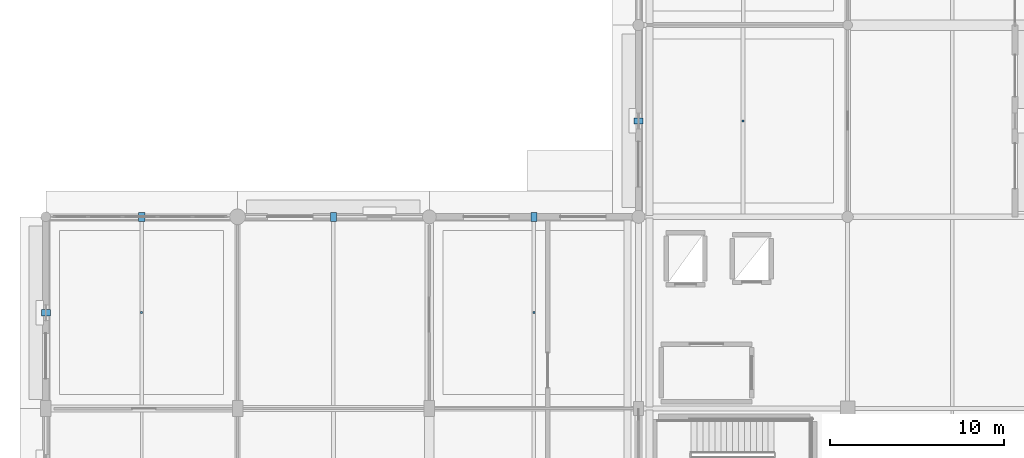
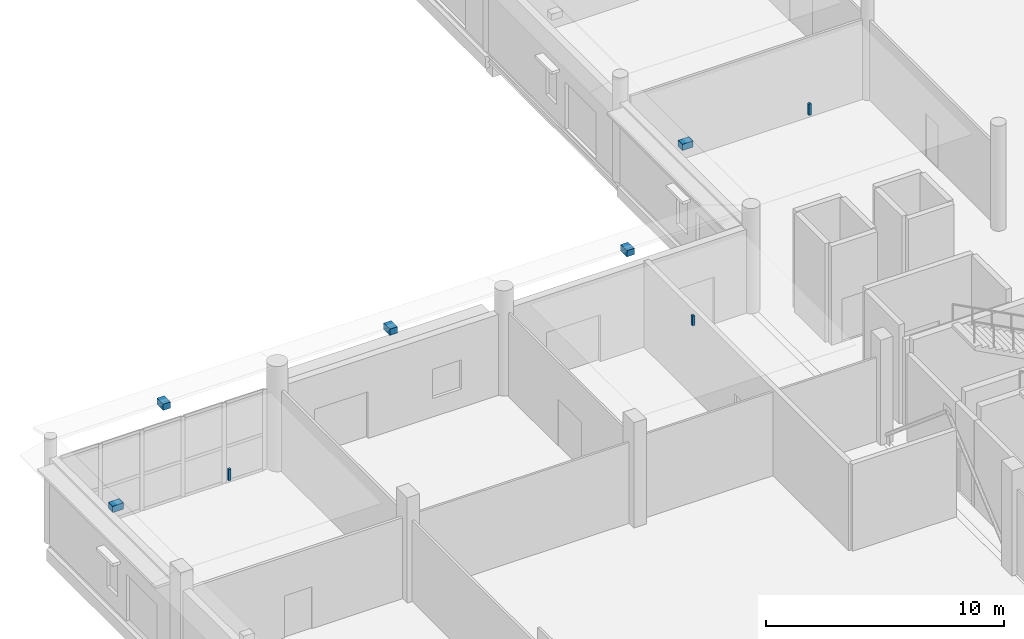
# One storey, part 80 of 120: 8 discrete accessories.
"""IFC4 building model written with IfcOpenShell, lengths in metres."""

import ifcopenshell
import ifcopenshell.guid

model = None  # the IFC model being written
_history = None  # IfcOwnerHistory: only IFC2X3 demands one
_inside = {}  # id of a spatial element -> (the spatial element, [elements in it])
_under = {}  # id of a project, library or spatial element -> (it, [spatial elements below it])
_declared = {}  # id of a project -> (the project, [libraries it declares])
_typed = {}  # id of a type object -> (the type object, [elements of that type])
_made_of = {}  # id of a material, layer set ... -> (it, [elements and type objects made of it])


def new_model(schema):
    """Start an empty IFC model of exactly this schema.

    Asked for "IFC4X3", IfcOpenShell would pick the latest addendum, in which some entities
    have other attributes; the version numbers below select the first issue.
    IFC2X3 requires an IfcOwnerHistory on every rooted entity: one is made here for all.
    """
    global model, _history
    if schema == "IFC4X3":
        model = ifcopenshell.file(schema_version=(4, 3, 0, 0))
    else:
        model = ifcopenshell.file(schema=schema)
    _inside.clear()
    _under.clear()
    _declared.clear()
    _typed.clear()
    _made_of.clear()
    _history = None
    if model.schema == "IFC2X3":
        org = make("IfcOrganization", Name="unknown")
        user = make(
            "IfcPersonAndOrganization",
            ThePerson=make("IfcPerson", FamilyName="unknown"),
            TheOrganization=org,
        )
        app = make(
            "IfcApplication",
            ApplicationDeveloper=org,
            Version="unknown",
            ApplicationFullName="unknown",
            ApplicationIdentifier="unknown",
        )
        _history = make(
            "IfcOwnerHistory",
            OwningUser=user,
            OwningApplication=app,
            ChangeAction="ADDED",
            CreationDate=0,
        )
    return model


def make(cls, **values):
    """One entity of the class cls with the attributes given. An attribute that is None is left unset."""
    return model.create_entity(
        cls, **{name: value for name, value in values.items() if value is not None}
    )


def rooted(cls, **values):
    """An entity with a GlobalId (a new one), such as an element, a storey or a relation."""
    return make(cls, GlobalId=ifcopenshell.guid.new(), OwnerHistory=_history, **values)


def si_unit(unit_type, name, prefix=None):
    """IfcSIUnit, for example si_unit("LENGTHUNIT", "METRE", prefix="MILLI")."""
    return make("IfcSIUnit", UnitType=unit_type, Prefix=prefix, Name=name)


def assignment(units):
    """IfcUnitAssignment: the units of a project."""
    return None if units is None else make("IfcUnitAssignment", Units=units)


def point(xyz):
    """IfcCartesianPoint."""
    return None if xyz is None else make("IfcCartesianPoint", Coordinates=xyz)


def direction(xyz):
    """IfcDirection."""
    return None if xyz is None else make("IfcDirection", DirectionRatios=xyz)


def frame(location, z_axis=None, x_axis=None):
    """IfcAxis2Placement3D, a coordinate frame: its origin and axes. An axis left out is left unset."""
    return make(
        "IfcAxis2Placement3D",
        Location=point(location),
        Axis=direction(z_axis),
        RefDirection=direction(x_axis),
    )


def frame_2d(location, x_axis=None):
    """IfcAxis2Placement2D, a coordinate frame in the plane: its origin and x axis."""
    return make(
        "IfcAxis2Placement2D", Location=point(location), RefDirection=direction(x_axis)
    )


def origin():
    """The frame at (0, 0, 0) with its axes left unset."""
    return frame((0.0, 0.0, 0.0))


def origin_2d():
    """The frame at (0, 0) in the plane with its x axis left unset."""
    return frame_2d((0.0, 0.0))


def place(relative_to, where):
    """IfcLocalPlacement: puts the frame where relative to a parent placement (None: the world)."""
    return make(
        "IfcLocalPlacement", PlacementRelTo=relative_to, RelativePlacement=where
    )


def context(
    kind, dimensions, precision=None, world=None, true_north=None, identifier=None
):
    """IfcGeometricRepresentationContext, for example the 3D "Model" context."""
    return make(
        "IfcGeometricRepresentationContext",
        ContextIdentifier=identifier,
        ContextType=kind,
        CoordinateSpaceDimension=dimensions,
        Precision=precision,
        WorldCoordinateSystem=world,
        TrueNorth=true_north,
    )


def subcontext(parent, identifier, kind, view, scale=None):
    """IfcGeometricRepresentationSubContext, for example "Body" below "Model"."""
    return make(
        "IfcGeometricRepresentationSubContext",
        ContextIdentifier=identifier,
        ContextType=kind,
        ParentContext=parent,
        TargetScale=scale,
        TargetView=view,
    )


def project(units=None, contexts=None):
    """IfcProject with its units and contexts."""
    return rooted(
        "IfcProject",
        Name="project",
        RepresentationContexts=contexts,
        UnitsInContext=assignment(units),
    )


def spatial(cls, under=None, at=None, **own):
    """A site, building, storey or space (cls), placed at a placement, below another one or the project."""
    s = rooted(cls, ObjectPlacement=at, **own)
    if under is not None:
        _under.setdefault(under.id(), (under, []))[1].append(s)
    return s


def profile(cls, at=None, kind="AREA", **sizes):
    """A parametric profile (cls). Its sizes go by their IFC names, for example OverallWidth=200.0."""
    return make(cls, ProfileType=kind, Position=at, **sizes)


def rectangle(**sizes):
    """IfcRectangleProfileDef."""
    return profile("IfcRectangleProfileDef", **sizes)


def extrude(swept, where, along, depth):
    """IfcExtrudedAreaSolid: the profile swept, set in the frame where, extruded along a direction by depth."""
    return make(
        "IfcExtrudedAreaSolid",
        SweptArea=swept,
        Position=where,
        ExtrudedDirection=direction(along),
        Depth=depth,
    )


def shape(context_of_items, identifier, shape_type, items):
    """IfcShapeRepresentation: the items that make up one representation, for example the "Body"."""
    return make(
        "IfcShapeRepresentation",
        ContextOfItems=context_of_items,
        RepresentationIdentifier=identifier,
        RepresentationType=shape_type,
        Items=items,
    )


def material(Name=None, Category=None):
    """IfcMaterial."""
    return make("IfcMaterial", Name=Name, Category=Category)


def layer(
    of_material, thickness, ventilated=None, Name=None, Category=None, Priority=None
):
    """IfcMaterialLayer: one layer of a wall or slab, of a material (None: an air gap)."""
    return make(
        "IfcMaterialLayer",
        Material=of_material,
        LayerThickness=thickness,
        IsVentilated=ventilated,
        Name=Name,
        Category=Category,
        Priority=Priority,
    )


def layer_set(layers, Name=None):
    """IfcMaterialLayerSet."""
    return make("IfcMaterialLayerSet", MaterialLayers=layers, LayerSetName=Name)


def made_of(thing, what):
    """Note that an element or type object is made of a material, layer set ...; save() writes the relation."""
    if what is not None:
        _made_of.setdefault(what.id(), (what, []))[1].append(thing)
    return thing


def type_object(cls, material=None, **own):
    """A type object (cls), such as IfcWallType, which elements share."""
    return made_of(rooted(cls, **own), material)


def element(
    cls,
    number,
    at=None,
    inside=None,
    cuts=None,
    type_object=None,
    material=None,
    context=None,
    identifier="Body",
    shape_type=None,
    held_by="IfcProductDefinitionShape",
    body=None,
    shapes=None,
    **own,
):
    """One element of the class cls, such as IfcWall. Its Tag is "e" and its number.

    at: its placement. inside: the storey or other place that contains it. cuts: it is an
    opening in that element (IfcRelVoidsElement). A single representation is given by context,
    identifier, shape_type and body (its items); several are given by shapes. held_by: the class
    of the entity that holds the representations. save() writes the other relations.
    """
    e = rooted(cls, Tag="e%d" % number, ObjectPlacement=at, **own)
    if body is not None:
        shapes = [shape(context, identifier, shape_type, body)]
    if shapes is not None:
        e.Representation = make(held_by, Representations=shapes)
    if inside is not None:
        _inside.setdefault(inside.id(), (inside, []))[1].append(e)
    if cuts is not None:
        rooted(
            "IfcRelVoidsElement", RelatingBuildingElement=cuts, RelatedOpeningElement=e
        )
    if type_object is not None:
        _typed.setdefault(type_object.id(), (type_object, []))[1].append(e)
    return made_of(e, material)


def aggregate(whole, parts):
    """IfcRelAggregates: a whole, such as a stair, and the parts it consists of."""
    return rooted("IfcRelAggregates", RelatingObject=whole, RelatedObjects=parts)


def save(model, path):
    """Write the relations noted so far, then the file.

    IfcRelAggregates (storeys below a building ...), IfcRelContainedInSpatialStructure (elements
    in a storey), IfcRelDefinesByType, IfcRelAssociatesMaterial and IfcRelDeclares: one each for
    every whole, place, type object, material and project.
    """
    for whole, parts in _under.values():
        aggregate(whole, parts)
    for where, things in _inside.values():
        rooted(
            "IfcRelContainedInSpatialStructure",
            RelatedElements=things,
            RelatingStructure=where,
        )
    for kind, things in _typed.values():
        rooted("IfcRelDefinesByType", RelatedObjects=things, RelatingType=kind)
    for what, things in _made_of.values():
        rooted("IfcRelAssociatesMaterial", RelatedObjects=things, RelatingMaterial=what)
    for by, libraries in _declared.values():
        rooted("IfcRelDeclares", RelatingContext=by, RelatedDefinitions=libraries)
    model.write(path)


model = new_model("IFC4")

# Units and contexts
model_context = context("Model", 3, precision=1e-05, world=origin(), true_north=direction((0.0, 1.0)))
body_context = subcontext(model_context, "Body", "Model", "MODEL_VIEW")
ifc_project = project(units=[si_unit("LENGTHUNIT", "METRE"), si_unit("AREAUNIT", "SQUARE_METRE"), si_unit("VOLUMEUNIT", "CUBIC_METRE"), si_unit("PLANEANGLEUNIT", "RADIAN"), si_unit("MASSUNIT", "GRAM", prefix="KILO")], contexts=[model_context])

# Site, building, storey
site_placement = place(None, origin())
site = spatial("IfcSite", under=ifc_project, at=site_placement, CompositionType="ELEMENT")
building_placement = place(site_placement, origin())
building = spatial("IfcBuilding", under=site, at=building_placement, Name="Luwafu Chhajja Arena", CompositionType="ELEMENT")
storey_placement = place(building_placement, origin())
storey = spatial("IfcBuildingStorey", under=building, at=storey_placement, Name="L00", CompositionType="ELEMENT", Elevation=0.0)

# Discrete accessories
ifc_material = material(Name="Stainless steel bracket", Category="steel")
ifc_layer = layer(ifc_material, 0.179931640625, Name="Stainless steel bracket")
ifc_layer_set = layer_set([ifc_layer], Name="Stainless steel bracket")
discrete_accessory_type = type_object("IfcDiscreteAccessoryType", Name="Stainless Steel Facade Support Bracket", PredefinedType="BRACKET", material=ifc_layer_set)
for number, where, z_axis, x_axis, name in (
    (1, (5.5, 99.0, 4.97998046875), (0.0, 0.0, 1.0), (1.0, 0.0, 0.0), "L00 Chhajja Eave Support Bracket 0074"),
    (2, (0.0, 93.5, 4.97998046875), (0.0, 0.0, 1.0), (0.0, 1.0, 0.0), "L00 Chhajja Eave Support Bracket 0075"),
    (3, (16.5, 99.0, 4.97998046875), (0.0, 0.0, 1.0), (1.0, 0.0, 0.0), "L00 Chhajja Eave Support Bracket 0077"),
    (4, (28.0, 99.0, 4.97998046875), (0.0, 0.0, 1.0), (1.0, 0.0, 0.0), "L00 Chhajja Eave Support Bracket 0079"),
    (5, (34.0, 104.5, 4.97998046875), (0.0, 0.0, 1.0), (0.0, 1.0, 0.0), "L00 Chhajja Eave Support Bracket 0081"),
):
    element("IfcDiscreteAccessory", number, at=place(storey_placement, frame(where, z_axis=z_axis, x_axis=x_axis)), inside=storey, type_object=discrete_accessory_type, Name=name, PredefinedType="BRACKET", context=body_context, shape_type="SweptSolid", body=[
        extrude(rectangle(XDim=0.360107421875, YDim=0.52001953125, at=origin_2d()), origin(), (0.0, 0.0, 1.0), 0.320068359375),
    ])
discrete_accessory_1_placement = place(storey_placement, frame((5.5, 93.5, 4.52294921875), z_axis=(0.0, 0.0, 1.0), x_axis=(1.0, 0.0, 0.0)))
element("IfcDiscreteAccessory", 6, at=discrete_accessory_1_placement, inside=storey, type_object=discrete_accessory_type, Name="L00 Ceiling Suspension Hanger 001", PredefinedType="BRACKET", context=body_context, shape_type="SweptSolid", body=[
    extrude(rectangle(XDim=0.1201171875, YDim=0.1201171875, at=origin_2d()), origin(), (0.0, 0.0, 1.0), 0.587158203125),
])
discrete_accessory_2_placement = place(storey_placement, frame((28.0, 93.5, 4.6015625), z_axis=(0.0, 0.0, 1.0), x_axis=(1.0, 0.0, 0.0)))
element("IfcDiscreteAccessory", 7, at=discrete_accessory_2_placement, inside=storey, type_object=discrete_accessory_type, Name="L00 Ceiling Suspension Hanger 003", PredefinedType="BRACKET", context=body_context, shape_type="SweptSolid", body=[
    extrude(rectangle(XDim=0.1201171875, YDim=0.1201171875, at=origin_2d()), origin(), (0.0, 0.0, 1.0), 0.508544921875),
])
discrete_accessory_3_placement = place(storey_placement, frame((40.0, 104.5, 4.52294921875), z_axis=(0.0, 0.0, 1.0), x_axis=(1.0, 0.0, 0.0)))
element("IfcDiscreteAccessory", 8, at=discrete_accessory_3_placement, inside=storey, type_object=discrete_accessory_type, Name="L00 Ceiling Suspension Hanger 008", PredefinedType="BRACKET", context=body_context, shape_type="SweptSolid", body=[
    extrude(rectangle(XDim=0.1201171875, YDim=0.1201171875, at=origin_2d()), origin(), (0.0, 0.0, 1.0), 0.587158203125),
])

save(model, "model.ifc")
